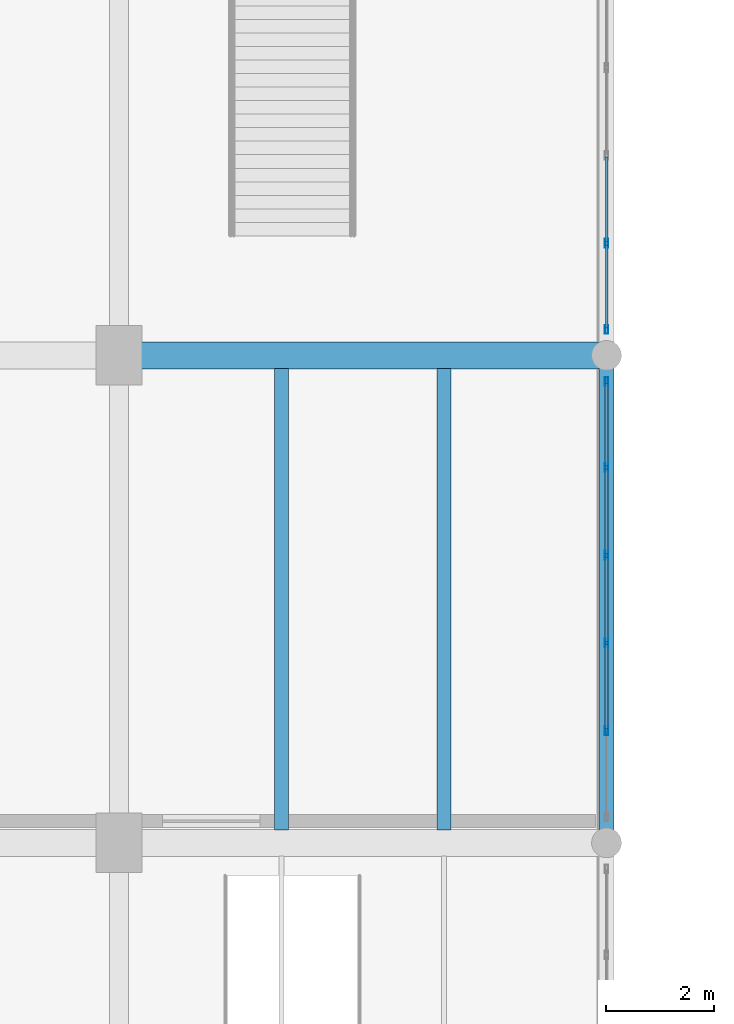
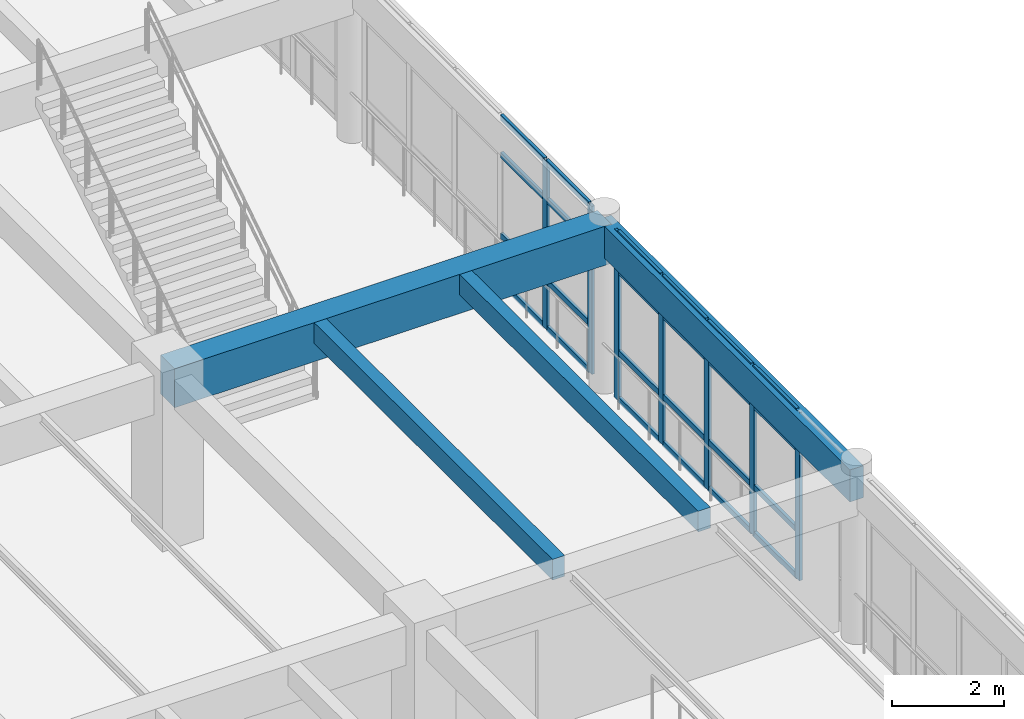
# One storey, part 34 of 156: 31 members, 4 beams, 2 elements without a shape of their own.
"""IFC4 building model written with IfcOpenShell, lengths in metres."""

from ifc_helpers import new_model, si_unit, direction, frame, origin, origin_2d, place, context, subcontext, project, spatial, rectangle, hollow_rectangle, extrude, material, layer, layer_set, material_profile, profile_set, type_object, element, aggregate, save


model = new_model("IFC4")

# Units and contexts
model_context = context("Model", 3, precision=1e-05, world=origin(), true_north=direction((0.0, 1.0)))
body_context = subcontext(model_context, "Body", "Model", "MODEL_VIEW")
ifc_project = project(units=[si_unit("LENGTHUNIT", "METRE"), si_unit("AREAUNIT", "SQUARE_METRE"), si_unit("VOLUMEUNIT", "CUBIC_METRE"), si_unit("PLANEANGLEUNIT", "RADIAN"), si_unit("MASSUNIT", "GRAM", prefix="KILO")], contexts=[model_context])

# Site, building, storey
site_placement = place(None, origin())
site = spatial("IfcSite", under=ifc_project, at=site_placement, CompositionType="ELEMENT")
building_placement = place(site_placement, origin())
building = spatial("IfcBuilding", under=site, at=building_placement, Name="Ornek Quay Market", CompositionType="ELEMENT")
storey_placement = place(building_placement, frame((0.0, 0.0, 4.5)))
storey = spatial("IfcBuildingStorey", under=building, at=storey_placement, Name="L01", CompositionType="ELEMENT", Elevation=4.5)

# Beams
ifc_material_1 = material(Name="Concrete C40/50", Category="concrete")
ifc_material_profile_1 = material_profile(ifc_material_1, rectangle(XDim=0.5, YDim=0.85009765625, at=origin_2d()), Name="RC 500x850", Category="concrete")
ifc_profile_set_1 = profile_set([ifc_material_profile_1], Name="Concrete C40/50")
beam_type_1 = type_object("IfcBeamType", Name="BM-GAL-500x850", PredefinedType="BEAM", material=ifc_profile_set_1)
beam_1_placement = place(storey_placement, frame((63.0, 65.0, 3.235107421875), z_axis=(1.0, 0.0, 0.0), x_axis=(0.0, 1.0, 0.0)))
element("IfcBeam", 1, at=beam_1_placement, inside=storey, type_object=beam_type_1, Name="Primary beam B-GL1-072", PredefinedType="BEAM", context=body_context, shape_type="SweptSolid", body=[
    extrude(rectangle(XDim=0.5, YDim=0.85009765625, at=origin_2d()), origin(), (0.0, 0.0, 1.0), 9.0),
])
ifc_material_2 = material(Name="Concrete C35/45", Category="concrete")
ifc_material_profile_2 = material_profile(ifc_material_2, rectangle(XDim=0.25, YDim=0.449951171875, at=origin_2d()), Name="RC 250x450", Category="concrete")
ifc_profile_set_2 = profile_set([ifc_material_profile_2], Name="Concrete C35/45")
beam_type_2 = type_object("IfcBeamType", Name="BM-SEC-250x450", PredefinedType="JOIST", material=ifc_profile_set_2)
for number, where, z_axis, x_axis, name in (
    (2, (66.0, 56.241943359375, 3.43505859375), (0.0, 1.0, 0.0), (-1.0, 0.0, 0.0), "Secondary joist B-SC3-019"),
    (3, (69.0, 56.241943359375, 3.43505859375), (0.0, 1.0, 0.0), (-1.0, 0.0, 0.0), "Secondary joist B-SC3-020"),
):
    element("IfcBeam", number, at=place(storey_placement, frame(where, z_axis=z_axis, x_axis=x_axis)), inside=storey, type_object=beam_type_2, Name=name, PredefinedType="JOIST", context=body_context, shape_type="SweptSolid", body=[
        extrude(rectangle(XDim=0.25, YDim=0.449951171875, at=origin_2d()), origin(), (0.0, 0.0, 1.0), 8.51611328125),
    ])
ifc_material_profile_3 = material_profile(ifc_material_2, rectangle(XDim=0.280029296875, YDim=0.699951171875, at=origin_2d()), Name="RC 280x700", Category="concrete")
ifc_profile_set_3 = profile_set([ifc_material_profile_3], Name="Concrete C35/45")
beam_type_3 = type_object("IfcBeamType", Name="BM-SPN-280x700", PredefinedType="SPANDREL", material=ifc_profile_set_3)
beam_2_placement = place(storey_placement, frame((72.0, 56.0, 3.31005859375), z_axis=(0.0, 1.0, 0.0), x_axis=(-1.0, 0.0, 0.0)))
element("IfcBeam", 4, at=beam_2_placement, inside=storey, type_object=beam_type_3, Name="Primary beam B-SP2-064", PredefinedType="SPANDREL", context=body_context, shape_type="SweptSolid", body=[
    extrude(rectangle(XDim=0.280029296875, YDim=0.699951171875, at=origin_2d()), origin(), (0.0, 0.0, 1.0), 9.0),
])

# Curtain wall, members
ifc_material_3 = material(Name="Anodised bronze aluminium and triple low-e glass", Category="aluminium")
ifc_layer = layer(ifc_material_3, 0.139892578125, Name="Anodised bronze aluminium and triple low-e glass", Category="aluminium")
ifc_layer_set = layer_set([ifc_layer], Name="Anodised bronze aluminium and triple low-e glass")
curtain_wall_type = type_object("IfcCurtainWallType", Name="CW-GALLERY-INT", PredefinedType="USERDEFINED", material=ifc_layer_set)
curtain_wall_1_placement = place(storey_placement, origin())
curtain_wall_1 = element("IfcCurtainWall", 5, at=curtain_wall_1_placement, inside=storey, type_object=curtain_wall_type, Name="Curtain wall CW-100", ObjectType="CURTAIN WALL", PredefinedType="USERDEFINED")
ifc_material_4 = material(Name="Anodised aluminium 6063-T6", Category="aluminium")
ifc_material_profile_4 = material_profile(ifc_material_4, hollow_rectangle(XDim=0.06005859375, YDim=0.159912109375, WallThickness=0.00390625, at=origin_2d()), Name="CW-MUL-60x160", Category="aluminium")
ifc_profile_set_4 = profile_set([ifc_material_profile_4], Name="Anodised aluminium 6063-T6")
member_type_1 = type_object("IfcMemberType", Name="CW-MUL-60x160", PredefinedType="MULLION", material=ifc_profile_set_4)
member_1_placement = place(storey_placement, frame((72.0, 58.070068359375, 0.0), z_axis=(0.0, 0.0, 1.0), x_axis=(-1.0, 0.0, 0.0)))
member_1 = element("IfcMember", 6, at=member_1_placement, type_object=member_type_1, Name="CW-100 mullion 2", PredefinedType="MULLION", context=body_context, shape_type="SweptSolid", body=[
    extrude(hollow_rectangle(XDim=0.06005859375, YDim=0.159912109375, WallThickness=0.00390625, at=origin_2d()), origin(), (0.0, 0.0, 1.0), 3.659912109375),
])
member_2_placement = place(storey_placement, frame((72.0, 59.68994140625, 0.0), z_axis=(0.0, 0.0, 1.0), x_axis=(-1.0, 0.0, 0.0)))
member_2 = element("IfcMember", 7, at=member_2_placement, type_object=member_type_1, Name="CW-100 mullion 3", PredefinedType="MULLION", context=body_context, shape_type="SweptSolid", body=[
    extrude(hollow_rectangle(XDim=0.06005859375, YDim=0.159912109375, WallThickness=0.00390625, at=origin_2d()), origin(), (0.0, 0.0, 1.0), 3.659912109375),
])
member_3_placement = place(storey_placement, frame((72.0, 61.31005859375, 0.0), z_axis=(0.0, 0.0, 1.0), x_axis=(-1.0, 0.0, 0.0)))
member_3 = element("IfcMember", 8, at=member_3_placement, type_object=member_type_1, Name="CW-100 mullion 4", PredefinedType="MULLION", context=body_context, shape_type="SweptSolid", body=[
    extrude(hollow_rectangle(XDim=0.06005859375, YDim=0.159912109375, WallThickness=0.00390625, at=origin_2d()), origin(), (0.0, 0.0, 1.0), 3.659912109375),
])
member_4_placement = place(storey_placement, frame((72.0, 62.929931640625, 0.0), z_axis=(0.0, 0.0, 1.0), x_axis=(-1.0, 0.0, 0.0)))
member_4 = element("IfcMember", 9, at=member_4_placement, type_object=member_type_1, Name="CW-100 mullion 5", PredefinedType="MULLION", context=body_context, shape_type="SweptSolid", body=[
    extrude(hollow_rectangle(XDim=0.06005859375, YDim=0.159912109375, WallThickness=0.00390625, at=origin_2d()), origin(), (0.0, 0.0, 1.0), 3.659912109375),
])
member_5_placement = place(storey_placement, frame((72.0, 64.52001953125, 0.0), z_axis=(0.0, 0.0, 1.0), x_axis=(-1.0, 0.0, 0.0)))
member_5 = element("IfcMember", 10, at=member_5_placement, type_object=member_type_1, Name="CW-100 mullion 6", PredefinedType="MULLION", context=body_context, shape_type="SweptSolid", body=[
    extrude(hollow_rectangle(XDim=0.06005859375, YDim=0.159912109375, WallThickness=0.00390625, at=origin_2d()), origin(), (0.0, 0.0, 1.0), 3.659912109375),
])

curtain_wall_2_placement = place(storey_placement, origin())
curtain_wall_2 = element("IfcCurtainWall", 11, at=curtain_wall_2_placement, inside=storey, type_object=curtain_wall_type, Name="Curtain wall CW-101", ObjectType="CURTAIN WALL", PredefinedType="USERDEFINED")
member_6_placement = place(storey_placement, frame((72.0, 65.47998046875, 0.0), z_axis=(0.0, 0.0, 1.0), x_axis=(-1.0, 0.0, 0.0)))
member_6 = element("IfcMember", 12, at=member_6_placement, type_object=member_type_1, Name="CW-101 mullion 1", PredefinedType="MULLION", context=body_context, shape_type="SweptSolid", body=[
    extrude(hollow_rectangle(XDim=0.06005859375, YDim=0.159912109375, WallThickness=0.00390625, at=origin_2d()), origin(), (0.0, 0.0, 1.0), 3.659912109375),
])
member_7_placement = place(storey_placement, frame((72.0, 67.070068359375, 0.0), z_axis=(0.0, 0.0, 1.0), x_axis=(-1.0, 0.0, 0.0)))
member_7 = element("IfcMember", 13, at=member_7_placement, type_object=member_type_1, Name="CW-101 mullion 2", PredefinedType="MULLION", context=body_context, shape_type="SweptSolid", body=[
    extrude(hollow_rectangle(XDim=0.06005859375, YDim=0.159912109375, WallThickness=0.00390625, at=origin_2d()), origin(), (0.0, 0.0, 1.0), 3.659912109375),
])

# Member
ifc_material_profile_5 = material_profile(ifc_material_4, hollow_rectangle(XDim=0.06005859375, YDim=0.1201171875, WallThickness=0.00390625, at=origin_2d()), Name="CW-TRN-60x120", Category="aluminium")
ifc_profile_set_5 = profile_set([ifc_material_profile_5], Name="Anodised aluminium 6063-T6")
member_type_2 = type_object("IfcMemberType", Name="CW-TRN-60x120", PredefinedType="USERDEFINED", material=ifc_profile_set_5)
member_8_placement = place(storey_placement, frame((72.0, 58.10009765625, 0.030029296875), z_axis=(0.0, 1.0, 0.0), x_axis=(-1.0, 0.0, 0.0)))
member_8 = element("IfcMember", 14, at=member_8_placement, type_object=member_type_2, Name="CW-100 transom 2.1", ObjectType="TRANSOM", PredefinedType="USERDEFINED", context=body_context, shape_type="SweptSolid", body=[
    extrude(hollow_rectangle(XDim=0.06005859375, YDim=0.1201171875, WallThickness=0.00390625, at=origin_2d()), origin(), (0.0, 0.0, 1.0), 1.559814453125),
])

member_9_placement = place(storey_placement, frame((72.0, 58.10009765625, 1.050048828125), z_axis=(0.0, 1.0, 0.0), x_axis=(-1.0, 0.0, 0.0)))
member_9 = element("IfcMember", 15, at=member_9_placement, type_object=member_type_2, Name="CW-100 transom 2.2", ObjectType="TRANSOM", PredefinedType="USERDEFINED", context=body_context, shape_type="SweptSolid", body=[
    extrude(hollow_rectangle(XDim=0.06005859375, YDim=0.1201171875, WallThickness=0.00390625, at=origin_2d()), origin(), (0.0, 0.0, 1.0), 1.559814453125),
])

member_10_placement = place(storey_placement, frame((72.0, 58.10009765625, 2.81005859375), z_axis=(0.0, 1.0, 0.0), x_axis=(-1.0, 0.0, 0.0)))
member_10 = element("IfcMember", 16, at=member_10_placement, type_object=member_type_2, Name="CW-100 transom 2.3", ObjectType="TRANSOM", PredefinedType="USERDEFINED", context=body_context, shape_type="SweptSolid", body=[
    extrude(hollow_rectangle(XDim=0.06005859375, YDim=0.1201171875, WallThickness=0.00390625, at=origin_2d()), origin(), (0.0, 0.0, 1.0), 1.559814453125),
])

member_11_placement = place(storey_placement, frame((72.0, 58.10009765625, 3.6298828125), z_axis=(0.0, 1.0, 0.0), x_axis=(-1.0, 0.0, 0.0)))
member_11 = element("IfcMember", 17, at=member_11_placement, type_object=member_type_2, Name="CW-100 transom 2.4", ObjectType="TRANSOM", PredefinedType="USERDEFINED", context=body_context, shape_type="SweptSolid", body=[
    extrude(hollow_rectangle(XDim=0.06005859375, YDim=0.1201171875, WallThickness=0.00390625, at=origin_2d()), origin(), (0.0, 0.0, 1.0), 1.559814453125),
])

member_12_placement = place(storey_placement, frame((72.0, 59.719970703125, 0.030029296875), z_axis=(0.0, 1.0, 0.0), x_axis=(-1.0, 0.0, 0.0)))
member_12 = element("IfcMember", 18, at=member_12_placement, type_object=member_type_2, Name="CW-100 transom 3.1", ObjectType="TRANSOM", PredefinedType="USERDEFINED", context=body_context, shape_type="SweptSolid", body=[
    extrude(hollow_rectangle(XDim=0.06005859375, YDim=0.1201171875, WallThickness=0.00390625, at=origin_2d()), origin(), (0.0, 0.0, 1.0), 1.56005859375),
])

member_13_placement = place(storey_placement, frame((72.0, 59.719970703125, 1.050048828125), z_axis=(0.0, 1.0, 0.0), x_axis=(-1.0, 0.0, 0.0)))
member_13 = element("IfcMember", 19, at=member_13_placement, type_object=member_type_2, Name="CW-100 transom 3.2", ObjectType="TRANSOM", PredefinedType="USERDEFINED", context=body_context, shape_type="SweptSolid", body=[
    extrude(hollow_rectangle(XDim=0.06005859375, YDim=0.1201171875, WallThickness=0.00390625, at=origin_2d()), origin(), (0.0, 0.0, 1.0), 1.56005859375),
])

member_14_placement = place(storey_placement, frame((72.0, 59.719970703125, 2.81005859375), z_axis=(0.0, 1.0, 0.0), x_axis=(-1.0, 0.0, 0.0)))
member_14 = element("IfcMember", 20, at=member_14_placement, type_object=member_type_2, Name="CW-100 transom 3.3", ObjectType="TRANSOM", PredefinedType="USERDEFINED", context=body_context, shape_type="SweptSolid", body=[
    extrude(hollow_rectangle(XDim=0.06005859375, YDim=0.1201171875, WallThickness=0.00390625, at=origin_2d()), origin(), (0.0, 0.0, 1.0), 1.56005859375),
])

member_15_placement = place(storey_placement, frame((72.0, 59.719970703125, 3.6298828125), z_axis=(0.0, 1.0, 0.0), x_axis=(-1.0, 0.0, 0.0)))
member_15 = element("IfcMember", 21, at=member_15_placement, type_object=member_type_2, Name="CW-100 transom 3.4", ObjectType="TRANSOM", PredefinedType="USERDEFINED", context=body_context, shape_type="SweptSolid", body=[
    extrude(hollow_rectangle(XDim=0.06005859375, YDim=0.1201171875, WallThickness=0.00390625, at=origin_2d()), origin(), (0.0, 0.0, 1.0), 1.56005859375),
])

member_16_placement = place(storey_placement, frame((72.0, 61.340087890625, 0.030029296875), z_axis=(0.0, 1.0, 0.0), x_axis=(-1.0, 0.0, 0.0)))
member_16 = element("IfcMember", 22, at=member_16_placement, type_object=member_type_2, Name="CW-100 transom 4.1", ObjectType="TRANSOM", PredefinedType="USERDEFINED", context=body_context, shape_type="SweptSolid", body=[
    extrude(hollow_rectangle(XDim=0.06005859375, YDim=0.1201171875, WallThickness=0.00390625, at=origin_2d()), origin(), (0.0, 0.0, 1.0), 1.559814453125),
])

member_17_placement = place(storey_placement, frame((72.0, 61.340087890625, 1.050048828125), z_axis=(0.0, 1.0, 0.0), x_axis=(-1.0, 0.0, 0.0)))
member_17 = element("IfcMember", 23, at=member_17_placement, type_object=member_type_2, Name="CW-100 transom 4.2", ObjectType="TRANSOM", PredefinedType="USERDEFINED", context=body_context, shape_type="SweptSolid", body=[
    extrude(hollow_rectangle(XDim=0.06005859375, YDim=0.1201171875, WallThickness=0.00390625, at=origin_2d()), origin(), (0.0, 0.0, 1.0), 1.559814453125),
])

member_18_placement = place(storey_placement, frame((72.0, 61.340087890625, 2.81005859375), z_axis=(0.0, 1.0, 0.0), x_axis=(-1.0, 0.0, 0.0)))
member_18 = element("IfcMember", 24, at=member_18_placement, type_object=member_type_2, Name="CW-100 transom 4.3", ObjectType="TRANSOM", PredefinedType="USERDEFINED", context=body_context, shape_type="SweptSolid", body=[
    extrude(hollow_rectangle(XDim=0.06005859375, YDim=0.1201171875, WallThickness=0.00390625, at=origin_2d()), origin(), (0.0, 0.0, 1.0), 1.559814453125),
])

member_19_placement = place(storey_placement, frame((72.0, 61.340087890625, 3.6298828125), z_axis=(0.0, 1.0, 0.0), x_axis=(-1.0, 0.0, 0.0)))
member_19 = element("IfcMember", 25, at=member_19_placement, type_object=member_type_2, Name="CW-100 transom 4.4", ObjectType="TRANSOM", PredefinedType="USERDEFINED", context=body_context, shape_type="SweptSolid", body=[
    extrude(hollow_rectangle(XDim=0.06005859375, YDim=0.1201171875, WallThickness=0.00390625, at=origin_2d()), origin(), (0.0, 0.0, 1.0), 1.559814453125),
])

member_20_placement = place(storey_placement, frame((72.0, 62.9599609375, 0.030029296875), z_axis=(0.0, 1.0, 0.0), x_axis=(-1.0, 0.0, 0.0)))
member_20 = element("IfcMember", 26, at=member_20_placement, type_object=member_type_2, Name="CW-100 transom 5.1", ObjectType="TRANSOM", PredefinedType="USERDEFINED", context=body_context, shape_type="SweptSolid", body=[
    extrude(hollow_rectangle(XDim=0.06005859375, YDim=0.1201171875, WallThickness=0.00390625, at=origin_2d()), origin(), (0.0, 0.0, 1.0), 1.530029296875),
])

member_21_placement = place(storey_placement, frame((72.0, 62.9599609375, 1.050048828125), z_axis=(0.0, 1.0, 0.0), x_axis=(-1.0, 0.0, 0.0)))
member_21 = element("IfcMember", 27, at=member_21_placement, type_object=member_type_2, Name="CW-100 transom 5.2", ObjectType="TRANSOM", PredefinedType="USERDEFINED", context=body_context, shape_type="SweptSolid", body=[
    extrude(hollow_rectangle(XDim=0.06005859375, YDim=0.1201171875, WallThickness=0.00390625, at=origin_2d()), origin(), (0.0, 0.0, 1.0), 1.530029296875),
])

member_22_placement = place(storey_placement, frame((72.0, 62.9599609375, 2.81005859375), z_axis=(0.0, 1.0, 0.0), x_axis=(-1.0, 0.0, 0.0)))
member_22 = element("IfcMember", 28, at=member_22_placement, type_object=member_type_2, Name="CW-100 transom 5.3", ObjectType="TRANSOM", PredefinedType="USERDEFINED", context=body_context, shape_type="SweptSolid", body=[
    extrude(hollow_rectangle(XDim=0.06005859375, YDim=0.1201171875, WallThickness=0.00390625, at=origin_2d()), origin(), (0.0, 0.0, 1.0), 1.530029296875),
])

member_23_placement = place(storey_placement, frame((72.0, 62.9599609375, 3.6298828125), z_axis=(0.0, 1.0, 0.0), x_axis=(-1.0, 0.0, 0.0)))
member_23 = element("IfcMember", 29, at=member_23_placement, type_object=member_type_2, Name="CW-100 transom 5.4", ObjectType="TRANSOM", PredefinedType="USERDEFINED", context=body_context, shape_type="SweptSolid", body=[
    extrude(hollow_rectangle(XDim=0.06005859375, YDim=0.1201171875, WallThickness=0.00390625, at=origin_2d()), origin(), (0.0, 0.0, 1.0), 1.530029296875),
])

aggregate(curtain_wall_1, [member_1, member_2, member_3, member_4, member_5, member_8, member_9, member_10, member_11, member_12, member_13, member_14, member_15, member_16, member_17, member_18, member_19, member_20, member_21, member_22, member_23])

member_24_placement = place(storey_placement, frame((72.0, 65.510009765625, 0.030029296875), z_axis=(0.0, 1.0, 0.0), x_axis=(-1.0, 0.0, 0.0)))
member_24 = element("IfcMember", 30, at=member_24_placement, type_object=member_type_2, Name="CW-101 transom 1.1", ObjectType="TRANSOM", PredefinedType="USERDEFINED", context=body_context, shape_type="SweptSolid", body=[
    extrude(hollow_rectangle(XDim=0.06005859375, YDim=0.1201171875, WallThickness=0.00390625, at=origin_2d()), origin(), (0.0, 0.0, 1.0), 1.530029296875),
])

member_25_placement = place(storey_placement, frame((72.0, 65.510009765625, 1.050048828125), z_axis=(0.0, 1.0, 0.0), x_axis=(-1.0, 0.0, 0.0)))
member_25 = element("IfcMember", 31, at=member_25_placement, type_object=member_type_2, Name="CW-101 transom 1.2", ObjectType="TRANSOM", PredefinedType="USERDEFINED", context=body_context, shape_type="SweptSolid", body=[
    extrude(hollow_rectangle(XDim=0.06005859375, YDim=0.1201171875, WallThickness=0.00390625, at=origin_2d()), origin(), (0.0, 0.0, 1.0), 1.530029296875),
])

member_26_placement = place(storey_placement, frame((72.0, 65.510009765625, 2.81005859375), z_axis=(0.0, 1.0, 0.0), x_axis=(-1.0, 0.0, 0.0)))
member_26 = element("IfcMember", 32, at=member_26_placement, type_object=member_type_2, Name="CW-101 transom 1.3", ObjectType="TRANSOM", PredefinedType="USERDEFINED", context=body_context, shape_type="SweptSolid", body=[
    extrude(hollow_rectangle(XDim=0.06005859375, YDim=0.1201171875, WallThickness=0.00390625, at=origin_2d()), origin(), (0.0, 0.0, 1.0), 1.530029296875),
])

member_27_placement = place(storey_placement, frame((72.0, 65.510009765625, 3.6298828125), z_axis=(0.0, 1.0, 0.0), x_axis=(-1.0, 0.0, 0.0)))
member_27 = element("IfcMember", 33, at=member_27_placement, type_object=member_type_2, Name="CW-101 transom 1.4", ObjectType="TRANSOM", PredefinedType="USERDEFINED", context=body_context, shape_type="SweptSolid", body=[
    extrude(hollow_rectangle(XDim=0.06005859375, YDim=0.1201171875, WallThickness=0.00390625, at=origin_2d()), origin(), (0.0, 0.0, 1.0), 1.530029296875),
])

member_28_placement = place(storey_placement, frame((72.0, 67.10009765625, 0.030029296875), z_axis=(0.0, 1.0, 0.0), x_axis=(-1.0, 0.0, 0.0)))
member_28 = element("IfcMember", 34, at=member_28_placement, type_object=member_type_2, Name="CW-101 transom 2.1", ObjectType="TRANSOM", PredefinedType="USERDEFINED", context=body_context, shape_type="SweptSolid", body=[
    extrude(hollow_rectangle(XDim=0.06005859375, YDim=0.1201171875, WallThickness=0.00390625, at=origin_2d()), origin(), (0.0, 0.0, 1.0), 1.559814453125),
])

member_29_placement = place(storey_placement, frame((72.0, 67.10009765625, 1.050048828125), z_axis=(0.0, 1.0, 0.0), x_axis=(-1.0, 0.0, 0.0)))
member_29 = element("IfcMember", 35, at=member_29_placement, type_object=member_type_2, Name="CW-101 transom 2.2", ObjectType="TRANSOM", PredefinedType="USERDEFINED", context=body_context, shape_type="SweptSolid", body=[
    extrude(hollow_rectangle(XDim=0.06005859375, YDim=0.1201171875, WallThickness=0.00390625, at=origin_2d()), origin(), (0.0, 0.0, 1.0), 1.559814453125),
])

member_30_placement = place(storey_placement, frame((72.0, 67.10009765625, 2.81005859375), z_axis=(0.0, 1.0, 0.0), x_axis=(-1.0, 0.0, 0.0)))
member_30 = element("IfcMember", 36, at=member_30_placement, type_object=member_type_2, Name="CW-101 transom 2.3", ObjectType="TRANSOM", PredefinedType="USERDEFINED", context=body_context, shape_type="SweptSolid", body=[
    extrude(hollow_rectangle(XDim=0.06005859375, YDim=0.1201171875, WallThickness=0.00390625, at=origin_2d()), origin(), (0.0, 0.0, 1.0), 1.559814453125),
])

member_31_placement = place(storey_placement, frame((72.0, 67.10009765625, 3.6298828125), z_axis=(0.0, 1.0, 0.0), x_axis=(-1.0, 0.0, 0.0)))
member_31 = element("IfcMember", 37, at=member_31_placement, type_object=member_type_2, Name="CW-101 transom 2.4", ObjectType="TRANSOM", PredefinedType="USERDEFINED", context=body_context, shape_type="SweptSolid", body=[
    extrude(hollow_rectangle(XDim=0.06005859375, YDim=0.1201171875, WallThickness=0.00390625, at=origin_2d()), origin(), (0.0, 0.0, 1.0), 1.559814453125),
])

aggregate(curtain_wall_2, [member_6, member_7, member_24, member_25, member_26, member_27, member_28, member_29, member_30, member_31])

save(model, "model.ifc")
